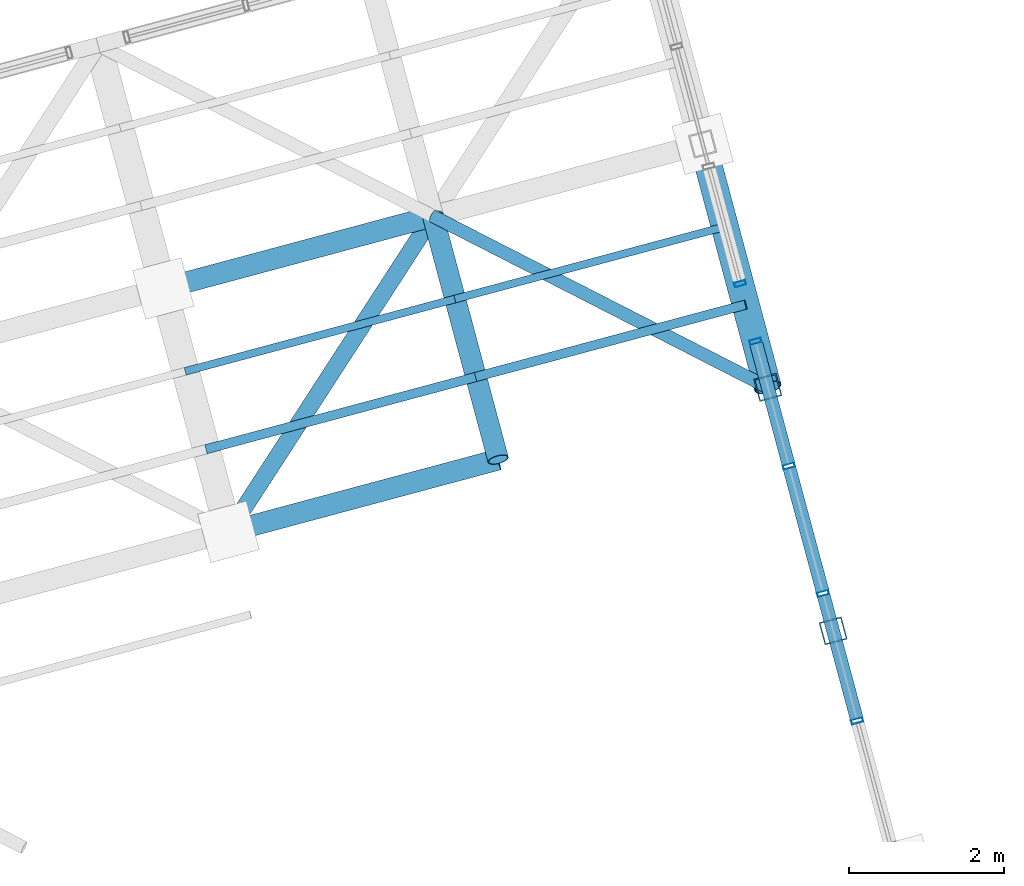
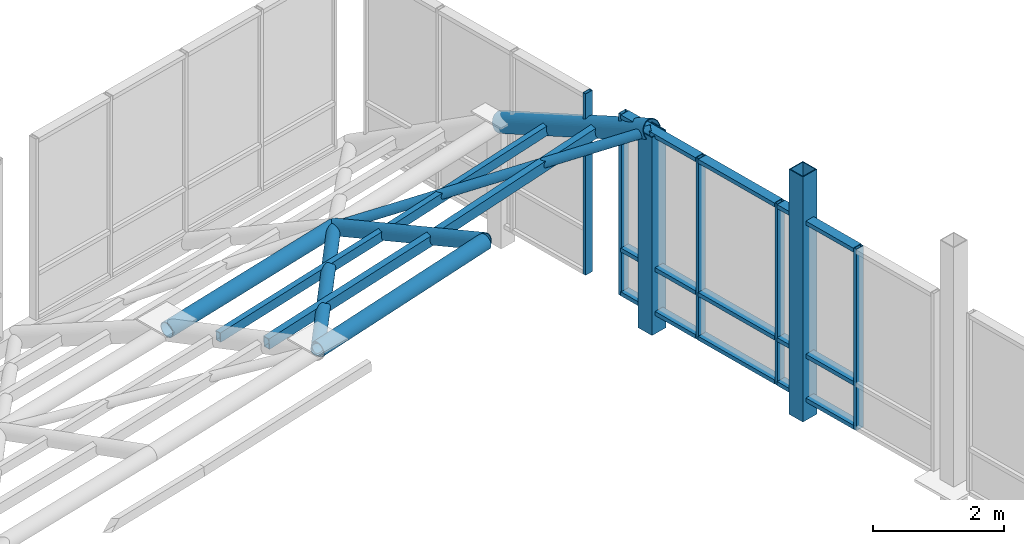
# One storey, part 19 of 29: 26 members, 2 elements without a shape of their own.
"""IFC4 building model written with IfcOpenShell, lengths in metres."""

from ifc_helpers import new_model, si_unit, direction, frame, origin, origin_2d, place, context, subcontext, project, spatial, hollow_rectangle, hollow_circle, extrude, material, layer, layer_set, material_profile, profile_set, type_object, element, aggregate, save


model = new_model("IFC4")

# Units and contexts
model_context = context("Model", 3, precision=1e-05, world=origin(), true_north=direction((0.0, 1.0)))
body_context = subcontext(model_context, "Body", "Model", "MODEL_VIEW")
ifc_project = project(units=[si_unit("LENGTHUNIT", "METRE"), si_unit("AREAUNIT", "SQUARE_METRE"), si_unit("VOLUMEUNIT", "CUBIC_METRE"), si_unit("PLANEANGLEUNIT", "RADIAN"), si_unit("MASSUNIT", "GRAM", prefix="KILO")], contexts=[model_context])

# Site, building, storey
site_placement = place(None, origin())
site = spatial("IfcSite", under=ifc_project, at=site_placement, CompositionType="ELEMENT")
building_placement = place(site_placement, origin())
building = spatial("IfcBuilding", under=site, at=building_placement, Name="Ventoquebrada Cableway Terminal", CompositionType="ELEMENT")
storey_placement = place(building_placement, frame((0.0, 0.0, 18.89990234375)))
storey = spatial("IfcBuildingStorey", under=building, at=storey_placement, Name="L04", CompositionType="ELEMENT", Elevation=18.89990234375)

# Members
ifc_material_1 = material(Name="Steel ASTM A500 Grade C", Category="steel")
ifc_material_profile_1 = material_profile(ifc_material_1, hollow_circle(Radius=0.109619140625, WallThickness=0.010009765625, at=origin_2d()), Name="CHS219.1X10")
ifc_profile_set_1 = profile_set([ifc_material_profile_1], Name="Steel ASTM A500 Grade C")
member_type_1 = type_object("IfcMemberType", Name="BRC-GS01", PredefinedType="BRACE", material=ifc_profile_set_1)
member_1_placement = place(storey_placement, frame((74.75, 96.073974609375, 3.912109375), z_axis=(0.529692336881, 0.818062398582, -0.224053431744), x_axis=(-0.839402648036, 0.543510068416, 0.0)))
element("IfcMember", 1, at=member_1_placement, inside=storey, type_object=member_type_1, Name="Saddle gridshell diagrid brace GBR-0403", PredefinedType="BRACE", context=body_context, shape_type="SweptSolid", body=[
    extrude(hollow_circle(Radius=0.109619140625, WallThickness=0.010009765625, at=origin_2d()), origin(), (0.0, 0.0, 1.0), 4.9765625),
])
ifc_material_profile_2 = material_profile(ifc_material_1, hollow_circle(Radius=0.084228515625, WallThickness=0.008056640625, at=origin_2d()), Name="CHS168.3X8")
ifc_profile_set_2 = profile_set([ifc_material_profile_2], Name="Steel ASTM A500 Grade C")
member_type_2 = type_object("IfcMemberType", Name="BRC-GS02", PredefinedType="BRACE", material=ifc_profile_set_2)
member_2_placement = place(storey_placement, frame((77.385986328125, 100.14501953125, 2.797119140625), z_axis=(0.84380218038, -0.431466439722, 0.319115326769), x_axis=(0.455269816893, 0.890353521825, 0.0)))
element("IfcMember", 2, at=member_2_placement, inside=storey, type_object=member_type_2, Name="Saddle gridshell diagrid brace GBR-0427", PredefinedType="BRACE", context=body_context, shape_type="SweptSolid", body=[
    extrude(hollow_circle(Radius=0.084228515625, WallThickness=0.008056640625, at=origin_2d()), origin(), (0.0, 0.0, 1.0), 5.117431640625),
])
ifc_material_profile_3 = material_profile(ifc_material_1, hollow_circle(Radius=0.177734375, WallThickness=0.012451171875, at=origin_2d()), Name="CHS355.6X12.5")
ifc_profile_set_3 = profile_set([ifc_material_profile_3], Name="Steel ASTM A500 Grade C")
member_type_3 = type_object("IfcMemberType", Name="CHD-GS01", PredefinedType="CHORD", material=ifc_profile_set_3)
member_3_placement = place(storey_placement, frame((81.7041015625, 97.93701171875, 4.43017578125), z_axis=(-0.235942636295, 0.880829679359, -0.410451152196), x_axis=(-0.965946375494, -0.258742342242, 0.0)))
element("IfcMember", 3, at=member_3_placement, inside=storey, type_object=member_type_3, Name="Saddle gridshell arch chord GCH-0101", PredefinedType="CHORD", context=body_context, shape_type="SweptSolid", body=[
    extrude(hollow_circle(Radius=0.177734375, WallThickness=0.012451171875, at=origin_2d()), origin(), (0.0, 0.0, 1.0), 3.564697265625),
])
ifc_material_profile_4 = material_profile(ifc_material_1, hollow_circle(Radius=0.136474609375, WallThickness=0.012451171875, at=origin_2d()), Name="CHS273.0X12.5")
ifc_profile_set_4 = profile_set([ifc_material_profile_4], Name="Steel ASTM A500 Grade C")
member_type_4 = type_object("IfcMemberType", Name="CHD-GS02", PredefinedType="CHORD", material=ifc_profile_set_4)
member_4_placement = place(storey_placement, frame((78.22705078125, 97.006103515625, 4.13818359375), z_axis=(-0.239245616629, 0.892882697532, -0.381473489737), x_axis=(-0.965926253902, -0.258817449225, 0.0)))
element("IfcMember", 4, at=member_4_placement, inside=storey, type_object=member_type_4, Name="Saddle gridshell arch chord GCH-0093", PredefinedType="CHORD", context=body_context, shape_type="SweptSolid", body=[
    extrude(hollow_circle(Radius=0.136474609375, WallThickness=0.012451171875, at=origin_2d()), origin(), (0.0, 0.0, 1.0), 3.515380859375),
])
member_5_placement = place(storey_placement, frame((74.75, 96.073974609375, 3.912109375), z_axis=(0.963995016826, 0.258428098177, 0.062677951522), x_axis=(-0.258937219442, 0.965894153822, 0.0)))
element("IfcMember", 5, at=member_5_placement, inside=storey, type_object=member_type_4, Name="Saddle gridshell longitudinal chord GLG-0171", PredefinedType="CHORD", context=body_context, shape_type="SweptSolid", body=[
    extrude(hollow_circle(Radius=0.136474609375, WallThickness=0.012451171875, at=origin_2d()), origin(), (0.0, 0.0, 1.0), 3.60693359375),
])
member_6_placement = place(storey_placement, frame((73.908935546875, 99.212890625, 2.6650390625), z_axis=(0.965244663077, 0.258763103751, 0.036666013392), x_axis=(-0.258937219442, 0.965894153822, 0.0)))
element("IfcMember", 6, at=member_6_placement, inside=storey, type_object=member_type_4, Name="Saddle gridshell longitudinal chord GLG-0181", PredefinedType="CHORD", context=body_context, shape_type="SweptSolid", body=[
    extrude(hollow_circle(Radius=0.136474609375, WallThickness=0.012451171875, at=origin_2d()), origin(), (0.0, 0.0, 1.0), 3.602294921875),
])

# Curtain wall, members
ifc_material_2 = material(Name="Anodized thermally-broken aluminium", Category="aluminium")
ifc_layer_1 = layer(ifc_material_2, 0.159912109375)
ifc_layer_set_1 = layer_set([ifc_layer_1], Name="Anodized thermally-broken aluminium")
curtain_wall_type_1 = type_object("IfcCurtainWallType", Name="CW-T47", PredefinedType="USERDEFINED", material=ifc_layer_set_1)
curtain_wall_1_placement = place(storey_placement, origin())
curtain_wall_1 = element("IfcCurtainWall", 7, at=curtain_wall_1_placement, inside=storey, type_object=curtain_wall_type_1, Name="Unitised glazed curtain wall CW-149", ObjectType="UNITISED CURTAIN WALL", PredefinedType="USERDEFINED")
ifc_material_profile_5 = material_profile(ifc_material_2, hollow_rectangle(XDim=0.06005859375, YDim=0.14990234375, WallThickness=0.00390625, at=origin_2d()), Name="CW-MUL-60X150")
ifc_profile_set_5 = profile_set([ifc_material_profile_5], Name="Anodized thermally-broken aluminium")
member_type_5 = type_object("IfcMemberType", Name="CWM-03", PredefinedType="MULLION", material=ifc_profile_set_5)
member_7_placement = place(storey_placement, frame((82.85595703125, 93.638916015625, 1.087158203125), z_axis=(0.0, 0.0, 1.0), x_axis=(-0.258835903649, 0.965921308897, 0.0)))
member_7 = element("IfcMember", 8, at=member_7_placement, type_object=member_type_5, Name="Curtain wall mullion FML-0724", PredefinedType="MULLION", context=body_context, shape_type="SweptSolid", body=[
    extrude(hollow_rectangle(XDim=0.06005859375, YDim=0.14990234375, WallThickness=0.00390625, at=origin_2d()), origin(), (0.0, 0.0, 1.0), 3.373046875),
])
member_8_placement = place(storey_placement, frame((82.416015625, 95.281005859375, 1.087158203125), z_axis=(0.0, 0.0, 1.0), x_axis=(-0.258835903649, 0.965921308897, 0.0)))
member_8 = element("IfcMember", 9, at=member_8_placement, type_object=member_type_5, Name="Curtain wall mullion FML-0725", PredefinedType="MULLION", context=body_context, shape_type="SweptSolid", body=[
    extrude(hollow_rectangle(XDim=0.06005859375, YDim=0.14990234375, WallThickness=0.00390625, at=origin_2d()), origin(), (0.0, 0.0, 1.0), 3.373046875),
])
member_9_placement = place(storey_placement, frame((81.97607421875, 96.923095703125, 1.087158203125), z_axis=(0.0, 0.0, 1.0), x_axis=(-0.258835903649, 0.965921308897, 0.0)))
member_9 = element("IfcMember", 10, at=member_9_placement, type_object=member_type_5, Name="Curtain wall mullion FML-0726", PredefinedType="MULLION", context=body_context, shape_type="SweptSolid", body=[
    extrude(hollow_rectangle(XDim=0.06005859375, YDim=0.14990234375, WallThickness=0.00390625, at=origin_2d()), origin(), (0.0, 0.0, 1.0), 3.373046875),
])
member_10_placement = place(storey_placement, frame((81.544921875, 98.531005859375, 1.087158203125), z_axis=(0.0, 0.0, 1.0), x_axis=(-0.258835903649, 0.965921308897, 0.0)))
member_10 = element("IfcMember", 11, at=member_10_placement, type_object=member_type_5, Name="Curtain wall mullion FML-0727", PredefinedType="MULLION", context=body_context, shape_type="SweptSolid", body=[
    extrude(hollow_rectangle(XDim=0.06005859375, YDim=0.14990234375, WallThickness=0.00390625, at=origin_2d()), origin(), (0.0, 0.0, 1.0), 3.373046875),
])

# Curtain wall, member
ifc_layer_2 = layer(ifc_material_2, 0.159912109375)
ifc_layer_set_2 = layer_set([ifc_layer_2], Name="Anodized thermally-broken aluminium")
curtain_wall_type_2 = type_object("IfcCurtainWallType", Name="CW-T46", PredefinedType="USERDEFINED", material=ifc_layer_set_2)
curtain_wall_2_placement = place(storey_placement, origin())
curtain_wall_2 = element("IfcCurtainWall", 12, at=curtain_wall_2_placement, inside=storey, type_object=curtain_wall_type_2, Name="Unitised glazed curtain wall CW-150", ObjectType="UNITISED CURTAIN WALL", PredefinedType="USERDEFINED")
member_11_placement = place(storey_placement, frame((81.345947265625, 99.27490234375, 1.087158203125), z_axis=(0.0, 0.0, 1.0), x_axis=(-0.258717892168, 0.96595292446, 0.0)))
member_11 = element("IfcMember", 13, at=member_11_placement, type_object=member_type_5, Name="Curtain wall mullion FML-0728", PredefinedType="MULLION", context=body_context, shape_type="SweptSolid", body=[
    extrude(hollow_rectangle(XDim=0.06005859375, YDim=0.14990234375, WallThickness=0.00390625, at=origin_2d()), origin(), (0.0, 0.0, 1.0), 3.373046875),
])
aggregate(curtain_wall_2, [member_11])

# Member
ifc_material_profile_6 = material_profile(ifc_material_2, hollow_rectangle(XDim=0.074951171875, YDim=0.169921875, WallThickness=0.00439453125, at=origin_2d()), Name="CW-TRN-75X170")
ifc_profile_set_6 = profile_set([ifc_material_profile_6], Name="Anodized thermally-broken aluminium")
member_type_6 = type_object("IfcMemberType", Name="CWT-03", PredefinedType="USERDEFINED", material=ifc_profile_set_6)
member_12_placement = place(storey_placement, frame((82.85009765625, 93.6630859375, 1.130126953125), z_axis=(-0.259310305754, 0.965794059481, 0.0), x_axis=(0.0, 0.0, 1.0)))
member_12 = element("IfcMember", 14, at=member_12_placement, type_object=member_type_6, Name="Curtain wall transom FTR-2106", ObjectType="TRANSOM", PredefinedType="USERDEFINED", context=body_context, shape_type="SweptSolid", body=[
    extrude(hollow_rectangle(XDim=0.074951171875, YDim=0.169921875, WallThickness=0.00439453125, at=origin_2d()), origin(), (0.0, 0.0, 1.0), 1.650390625),
])

member_13_placement = place(storey_placement, frame((82.85009765625, 93.6630859375, 1.945068359375), z_axis=(-0.259310305754, 0.965794059481, 0.0), x_axis=(0.0, 0.0, 1.0)))
member_13 = element("IfcMember", 15, at=member_13_placement, type_object=member_type_6, Name="Curtain wall transom FTR-2107", ObjectType="TRANSOM", PredefinedType="USERDEFINED", context=body_context, shape_type="SweptSolid", body=[
    extrude(hollow_rectangle(XDim=0.074951171875, YDim=0.169921875, WallThickness=0.00439453125, at=origin_2d()), origin(), (0.0, 0.0, 1.0), 1.650390625),
])

member_14_placement = place(storey_placement, frame((82.85009765625, 93.6630859375, 4.420166015625), z_axis=(-0.259310305754, 0.965794059481, 0.0), x_axis=(0.0, 0.0, 1.0)))
member_14 = element("IfcMember", 16, at=member_14_placement, type_object=member_type_6, Name="Curtain wall transom FTR-2108", ObjectType="TRANSOM", PredefinedType="USERDEFINED", context=body_context, shape_type="SweptSolid", body=[
    extrude(hollow_rectangle(XDim=0.074951171875, YDim=0.169921875, WallThickness=0.00439453125, at=origin_2d()), origin(), (0.0, 0.0, 1.0), 1.650390625),
])

member_15_placement = place(storey_placement, frame((82.409912109375, 95.304931640625, 1.130126953125), z_axis=(-0.259310305754, 0.965794059481, 0.0), x_axis=(0.0, 0.0, 1.0)))
member_15 = element("IfcMember", 17, at=member_15_placement, type_object=member_type_6, Name="Curtain wall transom FTR-2109", ObjectType="TRANSOM", PredefinedType="USERDEFINED", context=body_context, shape_type="SweptSolid", body=[
    extrude(hollow_rectangle(XDim=0.074951171875, YDim=0.169921875, WallThickness=0.00439453125, at=origin_2d()), origin(), (0.0, 0.0, 1.0), 1.650390625),
])

member_16_placement = place(storey_placement, frame((82.409912109375, 95.304931640625, 1.945068359375), z_axis=(-0.259310305754, 0.965794059481, 0.0), x_axis=(0.0, 0.0, 1.0)))
member_16 = element("IfcMember", 18, at=member_16_placement, type_object=member_type_6, Name="Curtain wall transom FTR-2110", ObjectType="TRANSOM", PredefinedType="USERDEFINED", context=body_context, shape_type="SweptSolid", body=[
    extrude(hollow_rectangle(XDim=0.074951171875, YDim=0.169921875, WallThickness=0.00439453125, at=origin_2d()), origin(), (0.0, 0.0, 1.0), 1.650390625),
])

member_17_placement = place(storey_placement, frame((82.409912109375, 95.304931640625, 4.420166015625), z_axis=(-0.259310305754, 0.965794059481, 0.0), x_axis=(0.0, 0.0, 1.0)))
member_17 = element("IfcMember", 19, at=member_17_placement, type_object=member_type_6, Name="Curtain wall transom FTR-2111", ObjectType="TRANSOM", PredefinedType="USERDEFINED", context=body_context, shape_type="SweptSolid", body=[
    extrude(hollow_rectangle(XDim=0.074951171875, YDim=0.169921875, WallThickness=0.00439453125, at=origin_2d()), origin(), (0.0, 0.0, 1.0), 1.650390625),
])

member_18_placement = place(storey_placement, frame((81.969970703125, 96.947021484375, 1.130126953125), z_axis=(-0.258791494835, 0.96593320794, 0.0), x_axis=(0.0, 0.0, 1.0)))
member_18 = element("IfcMember", 20, at=member_18_placement, type_object=member_type_6, Name="Curtain wall transom FTR-2112", ObjectType="TRANSOM", PredefinedType="USERDEFINED", context=body_context, shape_type="SweptSolid", body=[
    extrude(hollow_rectangle(XDim=0.074951171875, YDim=0.169921875, WallThickness=0.00439453125, at=origin_2d()), origin(), (0.0, 0.0, 1.0), 1.614990234375),
])

member_19_placement = place(storey_placement, frame((81.969970703125, 96.947021484375, 1.945068359375), z_axis=(-0.258791494835, 0.96593320794, 0.0), x_axis=(0.0, 0.0, 1.0)))
member_19 = element("IfcMember", 21, at=member_19_placement, type_object=member_type_6, Name="Curtain wall transom FTR-2113", ObjectType="TRANSOM", PredefinedType="USERDEFINED", context=body_context, shape_type="SweptSolid", body=[
    extrude(hollow_rectangle(XDim=0.074951171875, YDim=0.169921875, WallThickness=0.00439453125, at=origin_2d()), origin(), (0.0, 0.0, 1.0), 1.614990234375),
])

member_20_placement = place(storey_placement, frame((81.969970703125, 96.947021484375, 4.420166015625), z_axis=(-0.258791494835, 0.96593320794, 0.0), x_axis=(0.0, 0.0, 1.0)))
member_20 = element("IfcMember", 22, at=member_20_placement, type_object=member_type_6, Name="Curtain wall transom FTR-2114", ObjectType="TRANSOM", PredefinedType="USERDEFINED", context=body_context, shape_type="SweptSolid", body=[
    extrude(hollow_rectangle(XDim=0.074951171875, YDim=0.169921875, WallThickness=0.00439453125, at=origin_2d()), origin(), (0.0, 0.0, 1.0), 1.614990234375),
])

aggregate(curtain_wall_1, [member_7, member_8, member_9, member_10, member_12, member_13, member_14, member_15, member_16, member_17, member_18, member_19, member_20])

# Members
ifc_material_profile_7 = material_profile(ifc_material_1, hollow_rectangle(XDim=0.1201171875, YDim=0.199951171875, WallThickness=0.008056640625, at=origin_2d()), Name="RHS200X120X8")
ifc_profile_set_7 = profile_set([ifc_material_profile_7], Name="Steel ASTM A500 Grade C")
member_type_7 = type_object("IfcMemberType", Name="PUR-RF01", PredefinedType="PURLIN", material=ifc_profile_set_7)
member_21_placement = place(storey_placement, frame((74.464111328125, 97.14111328125, 3.488037109375), z_axis=(0.964505424419, 0.258515357419, 0.053843256261), x_axis=(-0.258890904628, 0.965906568722, 0.0)))
element("IfcMember", 23, at=member_21_placement, inside=storey, type_object=member_type_7, Name="Gridshell secondary roof purlin GPR-0404", PredefinedType="PURLIN", context=body_context, shape_type="SweptSolid", body=[
    extrude(hollow_rectangle(XDim=0.1201171875, YDim=0.199951171875, WallThickness=0.008056640625, at=origin_2d()), origin(), (0.0, 0.0, 1.0), 3.604736328125),
])
member_22_placement = place(storey_placement, frame((77.94091796875, 98.072998046875, 3.68212890625), z_axis=(0.963572029425, 0.258247046504, 0.069551470738), x_axis=(-0.258873944891, 0.965911114263, 0.0)))
element("IfcMember", 24, at=member_22_placement, inside=storey, type_object=member_type_7, Name="Gridshell secondary roof purlin GPR-0428", PredefinedType="PURLIN", context=body_context, shape_type="SweptSolid", body=[
    extrude(hollow_rectangle(XDim=0.1201171875, YDim=0.199951171875, WallThickness=0.008056640625, at=origin_2d()), origin(), (0.0, 0.0, 1.0), 3.6083984375),
])
ifc_material_profile_8 = material_profile(ifc_material_1, hollow_rectangle(XDim=0.10009765625, YDim=0.179931640625, WallThickness=0.008056640625, at=origin_2d()), Name="RHS180X100X8")
ifc_profile_set_8 = profile_set([ifc_material_profile_8], Name="Steel ASTM A500 Grade C")
member_type_8 = type_object("IfcMemberType", Name="PUR-RF02", PredefinedType="PURLIN", material=ifc_profile_set_8)
member_23_placement = place(storey_placement, frame((74.195068359375, 98.14599609375, 3.089111328125), z_axis=(0.964909496207, 0.258605501125, 0.045528660402), x_axis=(-0.258873944891, 0.965911114263, 0.0)))
element("IfcMember", 25, at=member_23_placement, inside=storey, type_object=member_type_8, Name="Gridshell secondary roof purlin GPR-0405", PredefinedType="PURLIN", context=body_context, shape_type="SweptSolid", body=[
    extrude(hollow_rectangle(XDim=0.10009765625, YDim=0.179931640625, WallThickness=0.008056640625, at=origin_2d()), origin(), (0.0, 0.0, 1.0), 3.603515625),
])
member_24_placement = place(storey_placement, frame((77.672119140625, 99.077880859375, 3.253173828125), z_axis=(0.964302909319, 0.258257938076, 0.05850415797), x_axis=(-0.258701050329, 0.965957435169, 0.0)))
element("IfcMember", 26, at=member_24_placement, inside=storey, type_object=member_type_8, Name="Gridshell secondary roof purlin GPR-0429", PredefinedType="PURLIN", context=body_context, shape_type="SweptSolid", body=[
    extrude(hollow_rectangle(XDim=0.10009765625, YDim=0.179931640625, WallThickness=0.008056640625, at=origin_2d()), origin(), (0.0, 0.0, 1.0), 3.60546875),
])
ifc_material_profile_9 = material_profile(ifc_material_1, hollow_rectangle(XDim=0.300048828125, YDim=0.300048828125, WallThickness=0.01611328125, at=origin_2d()), Name="HSS300X300X16")
ifc_profile_set_9 = profile_set([ifc_material_profile_9], Name="Steel ASTM A500 Grade C")
member_type_9 = type_object("IfcMemberType", Name="STR-VS01", PredefinedType="STRUT", material=ifc_profile_set_9)
member_25_placement = place(storey_placement, frame((82.5458984375, 94.798095703125, 0.75), z_axis=(0.0, 0.0, 1.0), x_axis=(0.965925826289, 0.258819045103, 0.0)))
element("IfcMember", 27, at=member_25_placement, inside=storey, type_object=member_type_9, Name="Saddle gridshell portal strut GS-ST-0012", PredefinedType="STRUT", context=body_context, shape_type="SweptSolid", body=[
    extrude(hollow_rectangle(XDim=0.300048828125, YDim=0.300048828125, WallThickness=0.01611328125, at=origin_2d()), origin(), (0.0, 0.0, 1.0), 4.55712890625),
])
member_26_placement = place(storey_placement, frame((81.7041015625, 97.93701171875, 0.75), z_axis=(0.0, 0.0, 1.0), x_axis=(0.965925826289, 0.258819045103, 0.0)))
element("IfcMember", 28, at=member_26_placement, inside=storey, type_object=member_type_9, Name="Saddle gridshell portal strut GS-ST-0013", PredefinedType="STRUT", context=body_context, shape_type="SweptSolid", body=[
    extrude(hollow_rectangle(XDim=0.300048828125, YDim=0.300048828125, WallThickness=0.01611328125, at=origin_2d()), origin(), (0.0, 0.0, 1.0), 3.68017578125),
])

save(model, "model.ifc")
